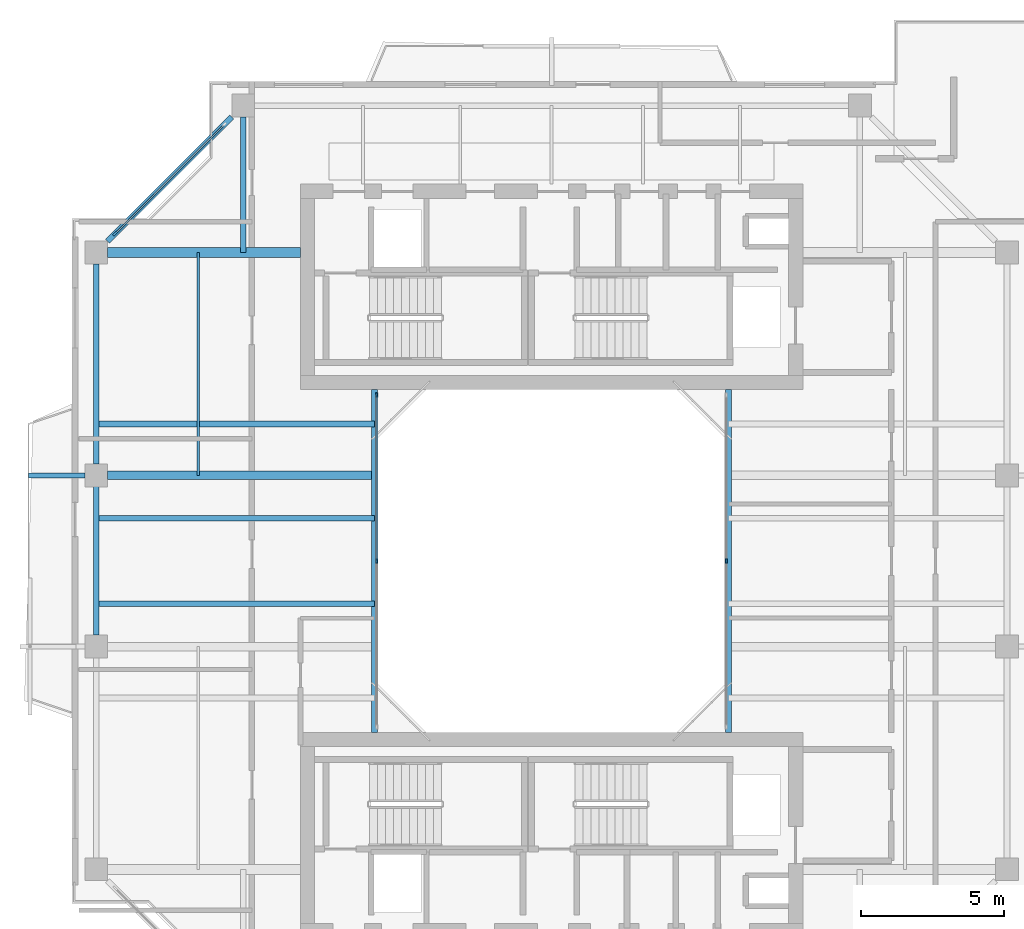
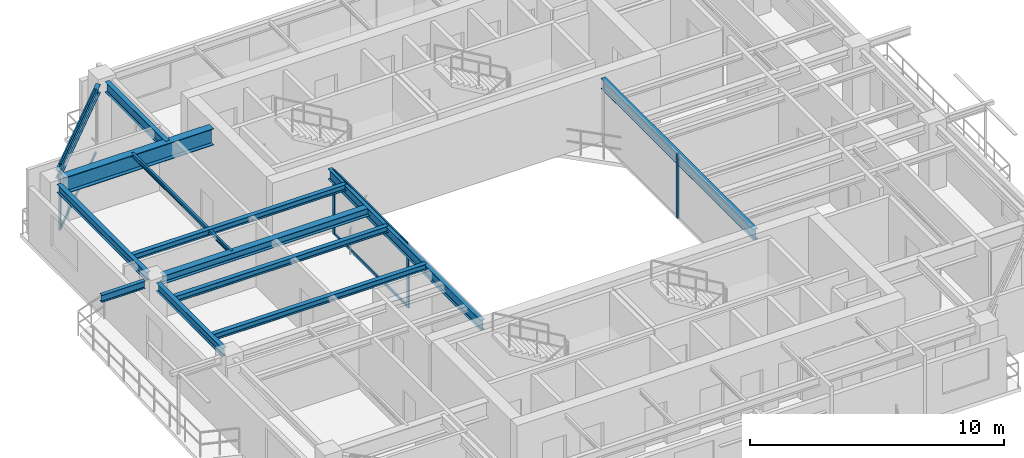
# One storey, part 5 of 16: 13 beams, 8 members, 3 elements without a shape of their own.
"""IFC4 building model written with IfcOpenShell, lengths in metres."""

from ifc_helpers import new_model, si_unit, direction, frame, origin, origin_2d, place, context, subcontext, project, spatial, rectangle, i_section, extrude, source, transform, mapped, material, layer, layer_set, material_profile, profile_set, type_object, element, aggregate, save


model = new_model("IFC4")

# Units and contexts
model_context = context("Model", 3, precision=1e-05, world=origin(), true_north=direction((0.0, 1.0)))
body_context = subcontext(model_context, "Body", "Model", "MODEL_VIEW")
ifc_project = project(units=[si_unit("LENGTHUNIT", "METRE"), si_unit("AREAUNIT", "SQUARE_METRE"), si_unit("VOLUMEUNIT", "CUBIC_METRE"), si_unit("PLANEANGLEUNIT", "RADIAN"), si_unit("MASSUNIT", "GRAM", prefix="KILO"), si_unit("THERMODYNAMICTEMPERATUREUNIT", "KELVIN"), si_unit("POWERUNIT", "WATT")], contexts=[model_context])

# Site, building, storey
site_placement = place(None, origin())
site = spatial("IfcSite", under=ifc_project, at=site_placement, CompositionType="ELEMENT")
building_placement = place(site_placement, origin())
building = spatial("IfcBuilding", under=site, at=building_placement, Name="Qiaomeng Ring Towers", CompositionType="ELEMENT")
storey_placement = place(building_placement, frame((0.0, 0.0, 223.0)))
storey = spatial("IfcBuildingStorey", under=building, at=storey_placement, Name="L65", CompositionType="ELEMENT", Elevation=223.0)

# Beams
ifc_material_1 = material(Name="Steel Q355B", Category="steel")
ifc_material_profile_1 = material_profile(ifc_material_1, i_section(OverallWidth=0.199951171875, OverallDepth=0.5, WebThickness=0.010009765625, FlangeThickness=0.01611328125, FilletRadius=0.02001953125, at=origin_2d()), Name="HN 500x200x10x16")
ifc_profile_set_1 = profile_set([ifc_material_profile_1], Name="Steel Q355B")
beam_type_1 = type_object("IfcBeamType", Name="STR-BM-HN500", PredefinedType="BEAM", material=ifc_profile_set_1)
shared_shape_1 = source(origin(), body_context, "Body", "SweptSolid", [
    extrude(i_section(OverallWidth=0.199951171875, OverallDepth=0.5, WebThickness=0.010009765625, FlangeThickness=0.01611328125, FilletRadius=0.02001953125, at=origin_2d()), origin(), (0.0, 0.0, 1.0), 12.0),
])
for number, where, z_axis, x_axis, name in (
    (1, (12.800048828125, 17.0, 2.820068359375), (0.0, 1.0, 0.0), (-1.0, 0.0, 0.0), "L65 beam STR-BM-L65-WELL-W"),
    (2, (25.199951171875, 17.0, 2.820068359375), (0.0, 1.0, 0.0), (-1.0, 0.0, 0.0), "L65 beam STR-BM-L65-WELL-E"),
):
    element("IfcBeam", number, at=place(storey_placement, frame(where, z_axis=z_axis, x_axis=x_axis)), inside=storey, type_object=beam_type_1, Name=name, PredefinedType="BEAM", context=body_context, shape_type="MappedRepresentation", body=[
        mapped(shared_shape_1, transform((0.0, 0.0, 0.0), x_axis=(1.0, 0.0, 0.0), y_axis=(0.0, 1.0, 0.0), z_axis=(0.0, 0.0, 1.0), scale=1.0)),
    ])
ifc_material_profile_2 = material_profile(ifc_material_1, i_section(OverallWidth=0.198974609375, OverallDepth=0.39599609375, WebThickness=0.007080078125, FlangeThickness=0.010986328125, FilletRadius=0.01611328125, at=origin_2d()), Name="HN 396x199x7x11")
ifc_profile_set_2 = profile_set([ifc_material_profile_2], Name="Steel Q355B")
beam_type_2 = type_object("IfcBeamType", Name="STR-BM-HN396", PredefinedType="SPANDREL", material=ifc_profile_set_2)
shared_shape_2 = source(origin(), body_context, "Body", "SweptSolid", [
    extrude(i_section(OverallWidth=0.198974609375, OverallDepth=0.39599609375, WebThickness=0.007080078125, FlangeThickness=0.010986328125, FilletRadius=0.01611328125, at=origin_2d()), origin(), (0.0, 0.0, 1.0), 6.154052734375),
])
beam_1_placement = place(storey_placement, frame((7.80078125, 38.55078125, 2.8720703125), z_axis=(-0.707106781187, -0.707106781187, 0.0), x_axis=(0.707106781187, -0.707106781187, 0.0)))
element("IfcBeam", 3, at=beam_1_placement, inside=storey, type_object=beam_type_2, Name="L65 beam STR-SP-L65-T1-N1-W4", PredefinedType="SPANDREL", context=body_context, shape_type="MappedRepresentation", body=[
    mapped(shared_shape_2, transform((0.0, 0.0, 0.0), x_axis=(1.0, 0.0, 0.0), y_axis=(0.0, 1.0, 0.0), z_axis=(0.0, 0.0, 1.0), scale=1.0)),
])
shared_shape_3 = source(origin(), body_context, "Body", "SweptSolid", [
    extrude(i_section(OverallWidth=0.198974609375, OverallDepth=0.39599609375, WebThickness=0.007080078125, FlangeThickness=0.010986328125, FilletRadius=0.01611328125, at=origin_2d()), origin(), (0.0, 0.0, 1.0), 7.001953125),
])
beam_2_placement = place(storey_placement, frame((3.050048828125, 33.40087890625, 2.8720703125), z_axis=(0.0, -1.0, 0.0), x_axis=(1.0, 0.0, 0.0)))
element("IfcBeam", 4, at=beam_2_placement, inside=storey, type_object=beam_type_2, Name="L65 beam STR-SP-L65-T1-W4-W3", PredefinedType="SPANDREL", context=body_context, shape_type="MappedRepresentation", body=[
    mapped(shared_shape_3, transform((0.0, 0.0, 0.0), x_axis=(1.0, 0.0, 0.0), y_axis=(0.0, 1.0, 0.0), z_axis=(0.0, 0.0, 1.0), scale=1.0)),
])
shared_shape_4 = source(origin(), body_context, "Body", "SweptSolid", [
    extrude(i_section(OverallWidth=0.198974609375, OverallDepth=0.39599609375, WebThickness=0.007080078125, FlangeThickness=0.010986328125, FilletRadius=0.01611328125, at=origin_2d()), origin(), (0.0, 0.0, 1.0), 5.2021484375),
])
beam_3_placement = place(storey_placement, frame((3.050048828125, 25.60107421875, 2.8720703125), z_axis=(0.0, -1.0, 0.0), x_axis=(1.0, 0.0, 0.0)))
element("IfcBeam", 5, at=beam_3_placement, inside=storey, type_object=beam_type_2, Name="L65 beam STR-SP-L65-T1-W3-W2", PredefinedType="SPANDREL", context=body_context, shape_type="MappedRepresentation", body=[
    mapped(shared_shape_4, transform((0.0, 0.0, 0.0), x_axis=(1.0, 0.0, 0.0), y_axis=(0.0, 1.0, 0.0), z_axis=(0.0, 0.0, 1.0), scale=1.0)),
])
ifc_material_2 = material(Name="Steel Q390GJC", Category="steel")
ifc_material_profile_3 = material_profile(ifc_material_2, i_section(OverallWidth=0.35009765625, OverallDepth=0.800048828125, WebThickness=0.01611328125, FlangeThickness=0.028076171875, at=origin_2d()), Name="WH 800x350x16x28")
ifc_profile_set_3 = profile_set([ifc_material_profile_3], Name="Steel Q390GJC")
beam_type_3 = type_object("IfcBeamType", Name="STR-BM-WH800", PredefinedType="BEAM", material=ifc_profile_set_3)
shared_shape_5 = source(origin(), body_context, "Body", "SweptSolid", [
    extrude(i_section(OverallWidth=0.35009765625, OverallDepth=0.800048828125, WebThickness=0.01611328125, FlangeThickness=0.028076171875, at=origin_2d()), origin(), (0.0, 0.0, 1.0), 6.7509765625),
])
beam_4_placement = place(storey_placement, frame((3.448974609375, 33.800048828125, 2.669921875), z_axis=(1.0, 0.0, 0.0), x_axis=(0.0, 1.0, 0.0)))
element("IfcBeam", 6, at=beam_4_placement, inside=storey, type_object=beam_type_3, Name="L65 beam STR-BM-L65-T1-RAD-W4", PredefinedType="BEAM", context=body_context, shape_type="MappedRepresentation", body=[
    mapped(shared_shape_5, transform((0.0, 0.0, 0.0), x_axis=(1.0, 0.0, 0.0), y_axis=(0.0, 1.0, 0.0), z_axis=(0.0, 0.0, 1.0), scale=1.0)),
])
ifc_material_profile_4 = material_profile(ifc_material_1, i_section(OverallWidth=0.300048828125, OverallDepth=0.389892578125, WebThickness=0.010009765625, FlangeThickness=0.01611328125, FilletRadius=0.02197265625, at=origin_2d()), Name="HM 390x300x10x16")
ifc_profile_set_4 = profile_set([ifc_material_profile_4], Name="Steel Q355B")
beam_type_4 = type_object("IfcBeamType", Name="STR-BM-HM390", PredefinedType="BEAM", material=ifc_profile_set_4)
shared_shape_6 = source(origin(), body_context, "Body", "SweptSolid", [
    extrude(i_section(OverallWidth=0.300048828125, OverallDepth=0.389892578125, WebThickness=0.010009765625, FlangeThickness=0.01611328125, FilletRadius=0.02197265625, at=origin_2d()), origin(), (0.0, 0.0, 1.0), 9.35107421875),
])
beam_5_placement = place(storey_placement, frame((3.448974609375, 26.0, 2.875), z_axis=(1.0, 0.0, 0.0), x_axis=(0.0, 1.0, 0.0)))
element("IfcBeam", 7, at=beam_5_placement, inside=storey, type_object=beam_type_4, Name="L65 beam STR-BM-L65-T1-RAD-W3", PredefinedType="BEAM", context=body_context, shape_type="MappedRepresentation", body=[
    mapped(shared_shape_6, transform((0.0, 0.0, 0.0), x_axis=(1.0, 0.0, 0.0), y_axis=(0.0, 1.0, 0.0), z_axis=(0.0, 0.0, 1.0), scale=1.0)),
])
ifc_material_profile_5 = material_profile(ifc_material_1, i_section(OverallWidth=0.175048828125, OverallDepth=0.35009765625, WebThickness=0.007080078125, FlangeThickness=0.010986328125, FilletRadius=0.013916015625, at=origin_2d()), Name="HN 350x175x7x11")
ifc_profile_set_5 = profile_set([ifc_material_profile_5], Name="Steel Q355B")
beam_type_5 = type_object("IfcBeamType", Name="STR-BM-HN350", PredefinedType="JOIST", material=ifc_profile_set_5)
shared_shape_7 = source(origin(), body_context, "Body", "SweptSolid", [
    extrude(i_section(OverallWidth=0.175048828125, OverallDepth=0.35009765625, WebThickness=0.007080078125, FlangeThickness=0.010986328125, FilletRadius=0.013916015625, at=origin_2d()), origin(), (0.0, 0.0, 1.0), 1.970947265625),
])
beam_6_placement = place(storey_placement, frame((0.679931640625, 26.0, 2.89501953125), z_axis=(1.0, 0.0, 0.0), x_axis=(0.0, 1.0, 0.0)))
element("IfcBeam", 8, at=beam_6_placement, inside=storey, type_object=beam_type_5, Name="L65 beam STR-BALBM-L65-W3", PredefinedType="JOIST", context=body_context, shape_type="MappedRepresentation", body=[
    mapped(shared_shape_7, transform((0.0, 0.0, 0.0), x_axis=(1.0, 0.0, 0.0), y_axis=(0.0, 1.0, 0.0), z_axis=(0.0, 0.0, 1.0), scale=1.0)),
])
ifc_material_profile_6 = material_profile(ifc_material_1, i_section(OverallWidth=0.199951171875, OverallDepth=0.2939453125, WebThickness=0.008056640625, FlangeThickness=0.011962890625, FilletRadius=0.01806640625, at=origin_2d()), Name="HM 294x200x8x12")
ifc_profile_set_6 = profile_set([ifc_material_profile_6], Name="Steel Q355B")
beam_type_6 = type_object("IfcBeamType", Name="STR-BM-HM294", PredefinedType="JOIST", material=ifc_profile_set_6)
shared_shape_8 = source(origin(), body_context, "Body", "SweptSolid", [
    extrude(i_section(OverallWidth=0.199951171875, OverallDepth=0.2939453125, WebThickness=0.008056640625, FlangeThickness=0.011962890625, FilletRadius=0.01806640625, at=origin_2d()), origin(), (0.0, 0.0, 1.0), 9.75),
])
for number, where, z_axis, x_axis, name in (
    (9, (3.050048828125, 21.5, 2.923095703125), (1.0, 0.0, 0.0), (0.0, 1.0, 0.0), "L65 beam STR-JST-L65-T1W-2"),
    (10, (3.050048828125, 24.5, 2.923095703125), (1.0, 0.0, 0.0), (0.0, 1.0, 0.0), "L65 beam STR-JST-L65-T1W-3"),
    (11, (3.050048828125, 27.800048828125, 2.923095703125), (1.0, 0.0, 0.0), (0.0, 1.0, 0.0), "L65 beam STR-JST-L65-T1W-4"),
):
    element("IfcBeam", number, at=place(storey_placement, frame(where, z_axis=z_axis, x_axis=x_axis)), inside=storey, type_object=beam_type_6, Name=name, PredefinedType="JOIST", context=body_context, shape_type="MappedRepresentation", body=[
        mapped(shared_shape_8, transform((0.0, 0.0, 0.0), x_axis=(1.0, 0.0, 0.0), y_axis=(0.0, 1.0, 0.0), z_axis=(0.0, 0.0, 1.0), scale=1.0)),
    ])
ifc_material_profile_7 = material_profile(ifc_material_1, i_section(OverallWidth=0.10009765625, OverallDepth=0.199951171875, WebThickness=0.005615234375, FlangeThickness=0.008056640625, FilletRadius=0.010986328125, at=origin_2d()), Name="HN 200x100x5.5x8")
ifc_profile_set_7 = profile_set([ifc_material_profile_7], Name="Steel Q355B")
beam_type_7 = type_object("IfcBeamType", Name="STR-BM-HN200", PredefinedType="JOIST", material=ifc_profile_set_7)
shared_shape_9 = source(origin(), body_context, "Body", "SweptSolid", [
    extrude(i_section(OverallWidth=0.10009765625, OverallDepth=0.199951171875, WebThickness=0.005615234375, FlangeThickness=0.008056640625, FilletRadius=0.010986328125, at=origin_2d()), origin(), (0.0, 0.0, 1.0), 7.800048828125),
])
beam_7_placement = place(storey_placement, frame((6.625, 26.0, 2.969970703125), z_axis=(0.0, 1.0, 0.0), x_axis=(-1.0, 0.0, 0.0)))
element("IfcBeam", 12, at=beam_7_placement, inside=storey, type_object=beam_type_7, Name="L65 beam STR-JST-L65-T1C-WN", PredefinedType="JOIST", context=body_context, shape_type="MappedRepresentation", body=[
    mapped(shared_shape_9, transform((0.0, 0.0, 0.0), x_axis=(1.0, 0.0, 0.0), y_axis=(0.0, 1.0, 0.0), z_axis=(0.0, 0.0, 1.0), scale=1.0)),
])
ifc_material_profile_8 = material_profile(ifc_material_1, i_section(OverallWidth=0.198974609375, OverallDepth=0.49609375, WebThickness=0.009033203125, FlangeThickness=0.013916015625, FilletRadius=0.01806640625, at=origin_2d()), Name="HN 496x199x9x14")
ifc_profile_set_8 = profile_set([ifc_material_profile_8], Name="Steel Q355B")
beam_type_8 = type_object("IfcBeamType", Name="STR-BM-HN496", PredefinedType="BEAM", material=ifc_profile_set_8)
shared_shape_10 = source(origin(), body_context, "Body", "SweptSolid", [
    extrude(i_section(OverallWidth=0.198974609375, OverallDepth=0.49609375, WebThickness=0.009033203125, FlangeThickness=0.013916015625, FilletRadius=0.01806640625, at=origin_2d()), origin(), (0.0, 0.0, 1.0), 4.7509765625),
])
beam_8_placement = place(storey_placement, frame((8.199951171875, 38.551025390625, 2.822021484375), z_axis=(0.0, -1.0, 0.0), x_axis=(1.0, 0.0, 0.0)))
element("IfcBeam", 13, at=beam_8_placement, inside=storey, type_object=beam_type_8, Name="L65 beam STR-BM-L65-T1-RAD-N1", PredefinedType="BEAM", context=body_context, shape_type="MappedRepresentation", body=[
    mapped(shared_shape_10, transform((0.0, 0.0, 0.0), x_axis=(1.0, 0.0, 0.0), y_axis=(0.0, 1.0, 0.0), z_axis=(0.0, 0.0, 1.0), scale=1.0)),
])

# Curtain wall, members
ifc_material_3 = material(Name="Fluorocarbon dark-grey aluminium", Category="aluminium")
ifc_layer_1 = layer(ifc_material_3, 0.139892578125, Name="Fluorocarbon dark-grey aluminium")
ifc_layer_set_1 = layer_set([ifc_layer_1], Name="Fluorocarbon dark-grey aluminium")
curtain_wall_type_1 = type_object("IfcCurtainWallType", Name="ARC-CW-4", PredefinedType="NOTDEFINED", material=ifc_layer_set_1)
curtain_wall_1_placement = place(storey_placement, origin())
curtain_wall_1 = element("IfcCurtainWall", 14, at=curtain_wall_1_placement, inside=storey, type_object=curtain_wall_type_1, Name="L65 Curtain Wall CW4", PredefinedType="NOTDEFINED")
ifc_material_profile_9 = material_profile(ifc_material_3, rectangle(XDim=0.06494140625, YDim=0.159912109375, at=origin_2d()), Name="ALU MULL 65x160")
ifc_profile_set_9 = profile_set([ifc_material_profile_9], Name="Fluorocarbon dark-grey aluminium")
member_type_1 = type_object("IfcMemberType", Name="ARC-CWM-140", PredefinedType="MULLION", material=ifc_profile_set_9)
shared_shape_11 = source(origin(), body_context, "Body", "SweptSolid", [
    extrude(rectangle(XDim=0.06494140625, YDim=0.159912109375, at=origin_2d()), origin(), (0.0, 0.0, 1.0), 3.070068359375),
])
member_1_placement = place(storey_placement, frame((12.8798828125, 23.0, 0.0), z_axis=(0.0, 0.0, 1.0), x_axis=(-1.0, 0.0, 0.0)))
member_1 = element("IfcMember", 15, at=member_1_placement, type_object=member_type_1, Name="CW4 mullion 2", PredefinedType="MULLION", context=body_context, shape_type="MappedRepresentation", body=[
    mapped(shared_shape_11, transform((0.0, 0.0, 0.0), x_axis=(1.0, 0.0, 0.0), y_axis=(0.0, 1.0, 0.0), z_axis=(0.0, 0.0, 1.0), scale=1.0)),
])
member_2_placement = place(storey_placement, frame((12.8798828125, 28.8173828125, 0.0), z_axis=(0.0, 0.0, 1.0), x_axis=(-1.0, 0.0, 0.0)))
member_2 = element("IfcMember", 16, at=member_2_placement, type_object=member_type_1, Name="CW4 mullion 3", PredefinedType="MULLION", context=body_context, shape_type="MappedRepresentation", body=[
    mapped(shared_shape_11, transform((0.0, 0.0, 0.0), x_axis=(1.0, 0.0, 0.0), y_axis=(0.0, 1.0, 0.0), z_axis=(0.0, 0.0, 1.0), scale=1.0)),
])

# Curtain wall, member
curtain_wall_2_placement = place(storey_placement, origin())
curtain_wall_2 = element("IfcCurtainWall", 17, at=curtain_wall_2_placement, inside=storey, type_object=curtain_wall_type_1, Name="L65 Curtain Wall CW4", PredefinedType="NOTDEFINED")
member_3_placement = place(storey_placement, frame((25.1201171875, 23.0, 0.0), z_axis=(0.0, 0.0, 1.0), x_axis=(-1.0, 0.0, 0.0)))
member_3 = element("IfcMember", 18, at=member_3_placement, type_object=member_type_1, Name="CW4 mullion 2", PredefinedType="MULLION", context=body_context, shape_type="MappedRepresentation", body=[
    mapped(shared_shape_11, transform((0.0, 0.0, 0.0), x_axis=(1.0, 0.0, 0.0), y_axis=(0.0, 1.0, 0.0), z_axis=(0.0, 0.0, 1.0), scale=1.0)),
])
aggregate(curtain_wall_2, [member_3])

# Member
ifc_material_profile_10 = material_profile(ifc_material_3, rectangle(XDim=0.06494140625, YDim=0.1298828125, at=origin_2d()), Name="ALU TRAN 65x130")
ifc_profile_set_10 = profile_set([ifc_material_profile_10], Name="Fluorocarbon dark-grey aluminium")
member_type_2 = type_object("IfcMemberType", Name="ARC-CWT-120", PredefinedType="USERDEFINED", material=ifc_profile_set_10)
shared_shape_12 = source(origin(), body_context, "Body", "SweptSolid", [
    extrude(rectangle(XDim=0.06494140625, YDim=0.1298828125, at=origin_2d()), origin(), (0.0, 0.0, 1.0), 5.75244140625),
])
member_4_placement = place(storey_placement, frame((12.8798828125, 23.032470703125, 0.032470703125), z_axis=(0.0, 1.0, 0.0), x_axis=(-1.0, 0.0, 0.0)))
member_4 = element("IfcMember", 19, at=member_4_placement, type_object=member_type_2, Name="CW4 transom 2.1", ObjectType="TRANSOM", PredefinedType="USERDEFINED", context=body_context, shape_type="MappedRepresentation", body=[
    mapped(shared_shape_12, transform((0.0, 0.0, 0.0), x_axis=(1.0, 0.0, 0.0), y_axis=(0.0, 1.0, 0.0), z_axis=(0.0, 0.0, 1.0), scale=1.0)),
])

member_5_placement = place(storey_placement, frame((12.8798828125, 23.032470703125, 3.03759765625), z_axis=(0.0, 1.0, 0.0), x_axis=(-1.0, 0.0, 0.0)))
member_5 = element("IfcMember", 20, at=member_5_placement, type_object=member_type_2, Name="CW4 transom 2.2", ObjectType="TRANSOM", PredefinedType="USERDEFINED", context=body_context, shape_type="MappedRepresentation", body=[
    mapped(shared_shape_12, transform((0.0, 0.0, 0.0), x_axis=(1.0, 0.0, 0.0), y_axis=(0.0, 1.0, 0.0), z_axis=(0.0, 0.0, 1.0), scale=1.0)),
])

aggregate(curtain_wall_1, [member_1, member_2, member_4, member_5])

# Curtain wall, members
ifc_layer_2 = layer(ifc_material_3, 0.14990234375, Name="Fluorocarbon dark-grey aluminium")
ifc_layer_set_2 = layer_set([ifc_layer_2], Name="Fluorocarbon dark-grey aluminium")
curtain_wall_type_2 = type_object("IfcCurtainWallType", Name="ARC-CW-3", PredefinedType="NOTDEFINED", material=ifc_layer_set_2)
curtain_wall_3_placement = place(storey_placement, origin())
curtain_wall_3 = element("IfcCurtainWall", 21, at=curtain_wall_3_placement, inside=storey, type_object=curtain_wall_type_2, Name="L65 Curtain Wall CW3", PredefinedType="NOTDEFINED")
ifc_material_profile_11 = material_profile(ifc_material_3, rectangle(XDim=0.070068359375, YDim=0.179931640625, at=origin_2d()), Name="ALU MULL 70x180")
ifc_profile_set_11 = profile_set([ifc_material_profile_11], Name="Fluorocarbon dark-grey aluminium")
member_type_3 = type_object("IfcMemberType", Name="ARC-CWM-160", PredefinedType="MULLION", material=ifc_profile_set_11)
shared_shape_13 = source(origin(), body_context, "Body", "SweptSolid", [
    extrude(rectangle(XDim=0.070068359375, YDim=0.179931640625, at=origin_2d()), origin(), (0.0, 0.0, 1.0), 3.070068359375),
])
member_6_placement = place(storey_placement, frame((3.71484375, 34.46484375, 0.0), z_axis=(0.0, 0.0, 1.0), x_axis=(0.707106781187, -0.707106781187, 0.0)))
member_6 = element("IfcMember", 22, at=member_6_placement, type_object=member_type_3, Name="CW3 mullion 2", PredefinedType="MULLION", context=body_context, shape_type="MappedRepresentation", body=[
    mapped(shared_shape_13, transform((0.0, 0.0, 0.0), x_axis=(1.0, 0.0, 0.0), y_axis=(0.0, 1.0, 0.0), z_axis=(0.0, 0.0, 1.0), scale=1.0)),
])
shared_shape_14 = source(origin(), body_context, "Body", "SweptSolid", [
    extrude(rectangle(XDim=0.06494140625, YDim=0.1298828125, at=origin_2d()), origin(), (0.0, 0.0, 1.0), 5.3330078125),
])
member_7_placement = place(storey_placement, frame((7.510498046875, 38.260498046875, 0.032470703125), z_axis=(-0.707106781187, -0.707106781187, 0.0), x_axis=(0.707106781187, -0.707106781187, 0.0)))
member_7 = element("IfcMember", 23, at=member_7_placement, type_object=member_type_2, Name="CW3 transom 1.1", ObjectType="TRANSOM", PredefinedType="USERDEFINED", context=body_context, shape_type="MappedRepresentation", body=[
    mapped(shared_shape_14, transform((0.0, 0.0, 0.0), x_axis=(1.0, 0.0, 0.0), y_axis=(0.0, 1.0, 0.0), z_axis=(0.0, 0.0, 1.0), scale=1.0)),
])
member_8_placement = place(storey_placement, frame((7.510498046875, 38.260498046875, 3.03759765625), z_axis=(-0.707106781187, -0.707106781187, 0.0), x_axis=(0.707106781187, -0.707106781187, 0.0)))
member_8 = element("IfcMember", 24, at=member_8_placement, type_object=member_type_2, Name="CW3 transom 1.2", ObjectType="TRANSOM", PredefinedType="USERDEFINED", context=body_context, shape_type="MappedRepresentation", body=[
    mapped(shared_shape_14, transform((0.0, 0.0, 0.0), x_axis=(1.0, 0.0, 0.0), y_axis=(0.0, 1.0, 0.0), z_axis=(0.0, 0.0, 1.0), scale=1.0)),
])
aggregate(curtain_wall_3, [member_6, member_7, member_8])

save(model, "model.ifc")
